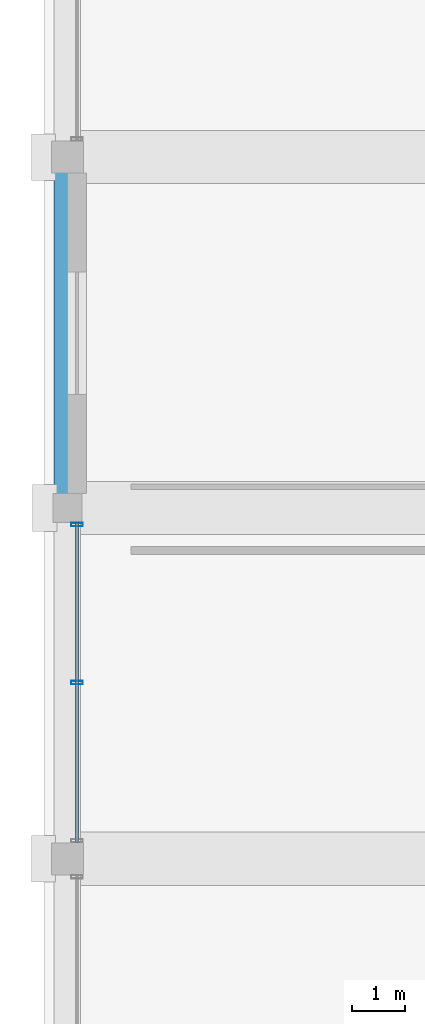
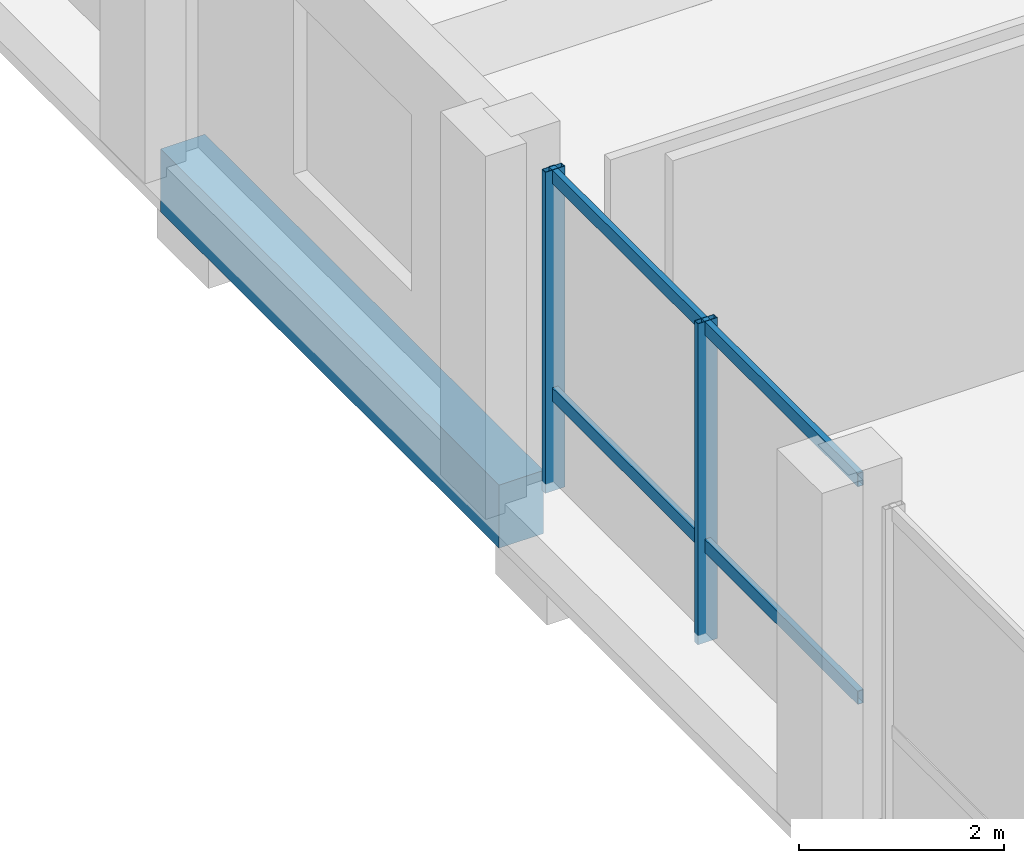
# One storey, part 17 of 68: 4 members, 1 beam, 1 element without a shape of its own.
"""IFC4 building model written with IfcOpenShell, lengths in metres."""

from ifc_helpers import new_model, si_unit, direction, frame, origin, origin_2d, place, context, subcontext, project, spatial, rectangle, hollow_rectangle, extrude, material, material_profile, profile_set, type_object, element, aggregate, save


model = new_model("IFC4")

# Units and contexts
model_context = context("Model", 3, precision=1e-05, world=origin(), true_north=direction((0.0, 1.0)))
body_context = subcontext(model_context, "Body", "Model", "MODEL_VIEW")
ifc_project = project(units=[si_unit("LENGTHUNIT", "METRE"), si_unit("AREAUNIT", "SQUARE_METRE"), si_unit("VOLUMEUNIT", "CUBIC_METRE"), si_unit("PLANEANGLEUNIT", "RADIAN"), si_unit("MASSUNIT", "GRAM", prefix="KILO")], contexts=[model_context])

# Site, building, storey
site_placement = place(None, origin())
site = spatial("IfcSite", under=ifc_project, at=site_placement, CompositionType="ELEMENT")
building_placement = place(site_placement, origin())
building = spatial("IfcBuilding", under=site, at=building_placement, Name="Akrevak Sports Hall", CompositionType="ELEMENT")
storey_placement = place(building_placement, frame((0.0, 0.0, 9.39990234375)))
storey = spatial("IfcBuildingStorey", under=building, at=storey_placement, Name="L02", CompositionType="ELEMENT", Elevation=9.39990234375)

# Curtain wall, members
ifc_material_1 = material(Name="Anodized Bronze Aluminium & Low-E Glass", Category="aluminium")
curtain_wall_type = type_object("IfcCurtainWallType", Name="ARC-CW-POD-64x42", PredefinedType="NOTDEFINED", material=ifc_material_1)
curtain_wall_placement = place(storey_placement, origin())
curtain_wall = element("IfcCurtainWall", 1, at=curtain_wall_placement, inside=storey, type_object=curtain_wall_type, Name="Curtain Wall CW-L02-W03", PredefinedType="NOTDEFINED")
ifc_material_2 = material(Name="Anodized Bronze Aluminium", Category="aluminium")
ifc_material_profile_1 = material_profile(ifc_material_2, hollow_rectangle(XDim=0.06494140625, YDim=0.219970703125, WallThickness=0.00439453125, at=origin_2d()), Name="CWM 65x220", Category="aluminium")
ifc_profile_set_1 = profile_set([ifc_material_profile_1], Name="Anodized Bronze Aluminium")
member_type_1 = type_object("IfcMemberType", Name="ARC-CWM-70x160", PredefinedType="MULLION", material=ifc_profile_set_1)
member_1_placement = place(storey_placement, frame((0.179931640625, 35.0849609375, 0.0), z_axis=(0.0, 0.0, 1.0), x_axis=(0.0, -1.0, 0.0)))
member_1 = element("IfcMember", 2, at=member_1_placement, type_object=member_type_1, Name="Curtain Wall Mullion CW-L02-W03-M1", PredefinedType="MULLION", context=body_context, shape_type="SweptSolid", body=[
    extrude(hollow_rectangle(XDim=0.06494140625, YDim=0.219970703125, WallThickness=0.00439453125, at=origin_2d()), origin(), (0.0, 0.0, 1.0), 3.820068359375),
])
member_2_placement = place(storey_placement, frame((0.179931640625, 32.112548828125, 0.0), z_axis=(0.0, 0.0, 1.0), x_axis=(0.0, -1.0, 0.0)))
member_2 = element("IfcMember", 3, at=member_2_placement, type_object=member_type_1, Name="Curtain Wall Mullion CW-L02-W03-M2", PredefinedType="MULLION", context=body_context, shape_type="SweptSolid", body=[
    extrude(hollow_rectangle(XDim=0.06494140625, YDim=0.219970703125, WallThickness=0.00439453125, at=origin_2d()), origin(), (0.0, 0.0, 1.0), 3.820068359375),
])
ifc_material_profile_2 = material_profile(ifc_material_2, hollow_rectangle(XDim=0.06494140625, YDim=0.159912109375, WallThickness=0.00390625, at=origin_2d()), Name="CWT 65x160", Category="aluminium")
ifc_profile_set_2 = profile_set([ifc_material_profile_2], Name="Anodized Bronze Aluminium")
member_type_2 = type_object("IfcMemberType", Name="ARC-CWT-70x130", PredefinedType="USERDEFINED", material=ifc_profile_set_2)
member_3_placement = place(storey_placement, frame((0.179931640625, 35.125, 1.150146484375), z_axis=(0.0, -1.0, 0.0), x_axis=(1.0, 0.0, 0.0)))
member_3 = element("IfcMember", 4, at=member_3_placement, type_object=member_type_2, Name="Curtain Wall Transom CW-L02-W03-T1", ObjectType="TRANSOM", PredefinedType="USERDEFINED", context=body_context, shape_type="SweptSolid", body=[
    extrude(hollow_rectangle(XDim=0.06494140625, YDim=0.159912109375, WallThickness=0.00390625, at=origin_2d()), origin(), (0.0, 0.0, 1.0), 6.02490234375),
])
member_4_placement = place(storey_placement, frame((0.179931640625, 35.125, 3.739990234375), z_axis=(0.0, -1.0, 0.0), x_axis=(1.0, 0.0, 0.0)))
member_4 = element("IfcMember", 5, at=member_4_placement, type_object=member_type_2, Name="Curtain Wall Transom CW-L02-W03-T2", ObjectType="TRANSOM", PredefinedType="USERDEFINED", context=body_context, shape_type="SweptSolid", body=[
    extrude(hollow_rectangle(XDim=0.06494140625, YDim=0.159912109375, WallThickness=0.00390625, at=origin_2d()), origin(), (0.0, 0.0, 1.0), 6.02490234375),
])
aggregate(curtain_wall, [member_1, member_2, member_3, member_4])

# Beam
ifc_material_3 = material(Name="Concrete C40/50", Category="concrete")
ifc_material_profile_3 = material_profile(ifc_material_3, rectangle(XDim=0.5, YDim=0.75, at=origin_2d()), Name="BM 500x750", Category="concrete")
ifc_profile_set_3 = profile_set([ifc_material_profile_3], Name="Concrete C40/50")
beam_type = type_object("IfcBeamType", Name="STR-BM-RC500x750", PredefinedType="BEAM", material=ifc_profile_set_3)
beam_placement = place(storey_placement, frame((0.0, 35.39990234375, -0.375), z_axis=(0.0, 1.0, 0.0), x_axis=(-1.0, 0.0, 0.0)))
element("IfcBeam", 6, at=beam_placement, inside=storey, type_object=beam_type, Name="Girder 1/F-G (L02)", PredefinedType="BEAM", context=body_context, shape_type="SweptSolid", body=[
    extrude(rectangle(XDim=0.5, YDim=0.75, at=origin_2d()), origin(), (0.0, 0.0, 1.0), 6.60009765625),
])

save(model, "model.ifc")
